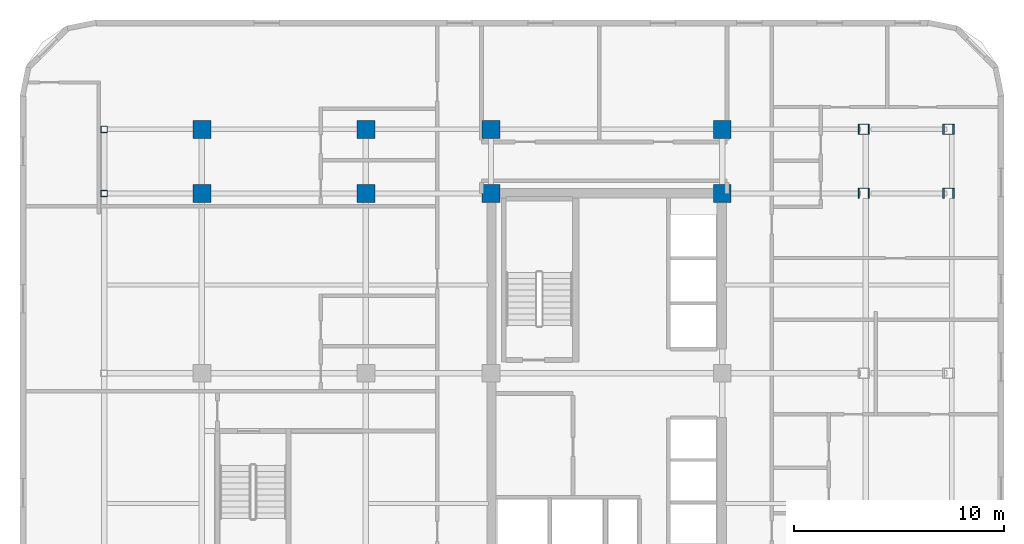
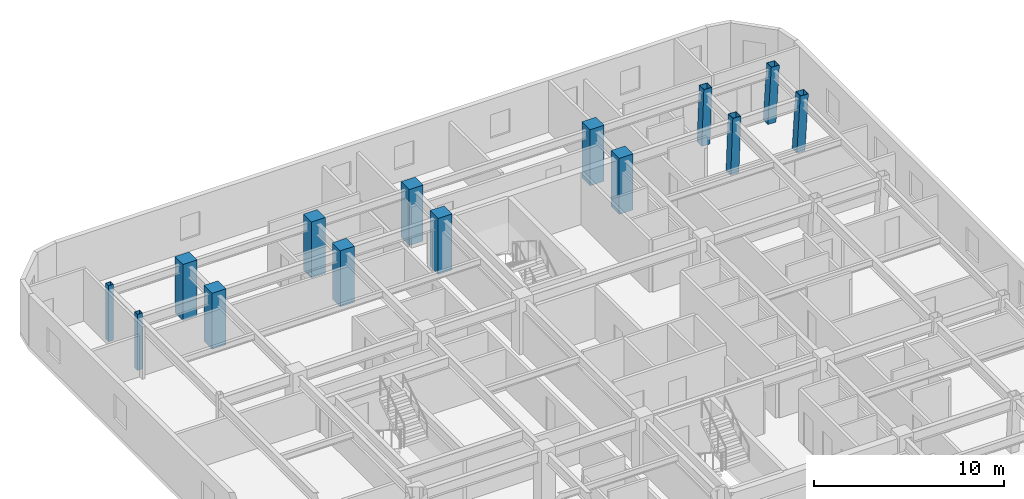
# One storey, part 3 of 13: 14 columns.
"""IFC4 building model written with IfcOpenShell, lengths in metres."""

import ifcopenshell
import ifcopenshell.guid

model = None  # the IFC model being written
_history = None  # IfcOwnerHistory: only IFC2X3 demands one
_inside = {}  # id of a spatial element -> (the spatial element, [elements in it])
_under = {}  # id of a project, library or spatial element -> (it, [spatial elements below it])
_declared = {}  # id of a project -> (the project, [libraries it declares])
_typed = {}  # id of a type object -> (the type object, [elements of that type])
_made_of = {}  # id of a material, layer set ... -> (it, [elements and type objects made of it])


def new_model(schema):
    """Start an empty IFC model of exactly this schema.

    Asked for "IFC4X3", IfcOpenShell would pick the latest addendum, in which some entities
    have other attributes; the version numbers below select the first issue.
    IFC2X3 requires an IfcOwnerHistory on every rooted entity: one is made here for all.
    """
    global model, _history
    if schema == "IFC4X3":
        model = ifcopenshell.file(schema_version=(4, 3, 0, 0))
    else:
        model = ifcopenshell.file(schema=schema)
    _inside.clear()
    _under.clear()
    _declared.clear()
    _typed.clear()
    _made_of.clear()
    _history = None
    if model.schema == "IFC2X3":
        org = make("IfcOrganization", Name="unknown")
        user = make(
            "IfcPersonAndOrganization",
            ThePerson=make("IfcPerson", FamilyName="unknown"),
            TheOrganization=org,
        )
        app = make(
            "IfcApplication",
            ApplicationDeveloper=org,
            Version="unknown",
            ApplicationFullName="unknown",
            ApplicationIdentifier="unknown",
        )
        _history = make(
            "IfcOwnerHistory",
            OwningUser=user,
            OwningApplication=app,
            ChangeAction="ADDED",
            CreationDate=0,
        )
    return model


def make(cls, **values):
    """One entity of the class cls with the attributes given. An attribute that is None is left unset."""
    return model.create_entity(
        cls, **{name: value for name, value in values.items() if value is not None}
    )


def rooted(cls, **values):
    """An entity with a GlobalId (a new one), such as an element, a storey or a relation."""
    return make(cls, GlobalId=ifcopenshell.guid.new(), OwnerHistory=_history, **values)


def si_unit(unit_type, name, prefix=None):
    """IfcSIUnit, for example si_unit("LENGTHUNIT", "METRE", prefix="MILLI")."""
    return make("IfcSIUnit", UnitType=unit_type, Prefix=prefix, Name=name)


def assignment(units):
    """IfcUnitAssignment: the units of a project."""
    return None if units is None else make("IfcUnitAssignment", Units=units)


def point(xyz):
    """IfcCartesianPoint."""
    return None if xyz is None else make("IfcCartesianPoint", Coordinates=xyz)


def direction(xyz):
    """IfcDirection."""
    return None if xyz is None else make("IfcDirection", DirectionRatios=xyz)


def frame(location, z_axis=None, x_axis=None):
    """IfcAxis2Placement3D, a coordinate frame: its origin and axes. An axis left out is left unset."""
    return make(
        "IfcAxis2Placement3D",
        Location=point(location),
        Axis=direction(z_axis),
        RefDirection=direction(x_axis),
    )


def frame_2d(location, x_axis=None):
    """IfcAxis2Placement2D, a coordinate frame in the plane: its origin and x axis."""
    return make(
        "IfcAxis2Placement2D", Location=point(location), RefDirection=direction(x_axis)
    )


def origin():
    """The frame at (0, 0, 0) with its axes left unset."""
    return frame((0.0, 0.0, 0.0))


def origin_2d():
    """The frame at (0, 0) in the plane with its x axis left unset."""
    return frame_2d((0.0, 0.0))


def place(relative_to, where):
    """IfcLocalPlacement: puts the frame where relative to a parent placement (None: the world)."""
    return make(
        "IfcLocalPlacement", PlacementRelTo=relative_to, RelativePlacement=where
    )


def context(
    kind, dimensions, precision=None, world=None, true_north=None, identifier=None
):
    """IfcGeometricRepresentationContext, for example the 3D "Model" context."""
    return make(
        "IfcGeometricRepresentationContext",
        ContextIdentifier=identifier,
        ContextType=kind,
        CoordinateSpaceDimension=dimensions,
        Precision=precision,
        WorldCoordinateSystem=world,
        TrueNorth=true_north,
    )


def subcontext(parent, identifier, kind, view, scale=None):
    """IfcGeometricRepresentationSubContext, for example "Body" below "Model"."""
    return make(
        "IfcGeometricRepresentationSubContext",
        ContextIdentifier=identifier,
        ContextType=kind,
        ParentContext=parent,
        TargetScale=scale,
        TargetView=view,
    )


def project(units=None, contexts=None):
    """IfcProject with its units and contexts."""
    return rooted(
        "IfcProject",
        Name="project",
        RepresentationContexts=contexts,
        UnitsInContext=assignment(units),
    )


def spatial(cls, under=None, at=None, **own):
    """A site, building, storey or space (cls), placed at a placement, below another one or the project."""
    s = rooted(cls, ObjectPlacement=at, **own)
    if under is not None:
        _under.setdefault(under.id(), (under, []))[1].append(s)
    return s


def profile(cls, at=None, kind="AREA", **sizes):
    """A parametric profile (cls). Its sizes go by their IFC names, for example OverallWidth=200.0."""
    return make(cls, ProfileType=kind, Position=at, **sizes)


def rectangle(**sizes):
    """IfcRectangleProfileDef."""
    return profile("IfcRectangleProfileDef", **sizes)


def hollow_rectangle(**sizes):
    """IfcRectangleHollowProfileDef."""
    return profile("IfcRectangleHollowProfileDef", **sizes)


def extrude(swept, where, along, depth):
    """IfcExtrudedAreaSolid: the profile swept, set in the frame where, extruded along a direction by depth."""
    return make(
        "IfcExtrudedAreaSolid",
        SweptArea=swept,
        Position=where,
        ExtrudedDirection=direction(along),
        Depth=depth,
    )


def shape(context_of_items, identifier, shape_type, items):
    """IfcShapeRepresentation: the items that make up one representation, for example the "Body"."""
    return make(
        "IfcShapeRepresentation",
        ContextOfItems=context_of_items,
        RepresentationIdentifier=identifier,
        RepresentationType=shape_type,
        Items=items,
    )


def material(Name=None, Category=None):
    """IfcMaterial."""
    return make("IfcMaterial", Name=Name, Category=Category)


def material_profile(
    of_material, cross_section, Name=None, Category=None, Priority=None
):
    """IfcMaterialProfile: a cross section and its material."""
    return make(
        "IfcMaterialProfile",
        Name=Name,
        Material=of_material,
        Profile=cross_section,
        Priority=Priority,
        Category=Category,
    )


def profile_set(profiles, Name=None, composite=None):
    """IfcMaterialProfileSet."""
    return make(
        "IfcMaterialProfileSet",
        Name=Name,
        MaterialProfiles=profiles,
        CompositeProfile=composite,
    )


def made_of(thing, what):
    """Note that an element or type object is made of a material, layer set ...; save() writes the relation."""
    if what is not None:
        _made_of.setdefault(what.id(), (what, []))[1].append(thing)
    return thing


def type_object(cls, material=None, **own):
    """A type object (cls), such as IfcWallType, which elements share."""
    return made_of(rooted(cls, **own), material)


def element(
    cls,
    number,
    at=None,
    inside=None,
    cuts=None,
    type_object=None,
    material=None,
    context=None,
    identifier="Body",
    shape_type=None,
    held_by="IfcProductDefinitionShape",
    body=None,
    shapes=None,
    **own,
):
    """One element of the class cls, such as IfcWall. Its Tag is "e" and its number.

    at: its placement. inside: the storey or other place that contains it. cuts: it is an
    opening in that element (IfcRelVoidsElement). A single representation is given by context,
    identifier, shape_type and body (its items); several are given by shapes. held_by: the class
    of the entity that holds the representations. save() writes the other relations.
    """
    e = rooted(cls, Tag="e%d" % number, ObjectPlacement=at, **own)
    if body is not None:
        shapes = [shape(context, identifier, shape_type, body)]
    if shapes is not None:
        e.Representation = make(held_by, Representations=shapes)
    if inside is not None:
        _inside.setdefault(inside.id(), (inside, []))[1].append(e)
    if cuts is not None:
        rooted(
            "IfcRelVoidsElement", RelatingBuildingElement=cuts, RelatedOpeningElement=e
        )
    if type_object is not None:
        _typed.setdefault(type_object.id(), (type_object, []))[1].append(e)
    return made_of(e, material)


def aggregate(whole, parts):
    """IfcRelAggregates: a whole, such as a stair, and the parts it consists of."""
    return rooted("IfcRelAggregates", RelatingObject=whole, RelatedObjects=parts)


def save(model, path):
    """Write the relations noted so far, then the file.

    IfcRelAggregates (storeys below a building ...), IfcRelContainedInSpatialStructure (elements
    in a storey), IfcRelDefinesByType, IfcRelAssociatesMaterial and IfcRelDeclares: one each for
    every whole, place, type object, material and project.
    """
    for whole, parts in _under.values():
        aggregate(whole, parts)
    for where, things in _inside.values():
        rooted(
            "IfcRelContainedInSpatialStructure",
            RelatedElements=things,
            RelatingStructure=where,
        )
    for kind, things in _typed.values():
        rooted("IfcRelDefinesByType", RelatedObjects=things, RelatingType=kind)
    for what, things in _made_of.values():
        rooted("IfcRelAssociatesMaterial", RelatedObjects=things, RelatingMaterial=what)
    for by, libraries in _declared.values():
        rooted("IfcRelDeclares", RelatingContext=by, RelatedDefinitions=libraries)
    model.write(path)


model = new_model("IFC4")

# Units and contexts
model_context = context("Model", 3, precision=1e-05, world=origin(), true_north=direction((0.0, 1.0)))
body_context = subcontext(model_context, "Body", "Model", "MODEL_VIEW")
ifc_project = project(units=[si_unit("LENGTHUNIT", "METRE"), si_unit("AREAUNIT", "SQUARE_METRE"), si_unit("VOLUMEUNIT", "CUBIC_METRE"), si_unit("PLANEANGLEUNIT", "RADIAN"), si_unit("MASSUNIT", "GRAM", prefix="KILO")], contexts=[model_context])

# Site, building, storey
site_placement = place(None, origin())
site = spatial("IfcSite", under=ifc_project, at=site_placement, CompositionType="ELEMENT")
building_placement = place(site_placement, origin())
building = spatial("IfcBuilding", under=site, at=building_placement, Name="Ochreholt Gables", CompositionType="ELEMENT")
storey_placement = place(building_placement, frame((0.0, 0.0, 56.39990234375)))
storey = spatial("IfcBuildingStorey", under=building, at=storey_placement, Name="L14", CompositionType="ELEMENT", Elevation=56.39990234375)

# Columns
ifc_material_1 = material(Name="Steel CSA G40.21 350W", Category="steel")
ifc_material_profile_1 = material_profile(ifc_material_1, hollow_rectangle(XDim=0.304931640625, YDim=0.304931640625, WallThickness=0.0126953125, at=origin_2d()), Name="HSS305X305X13")
ifc_profile_set_1 = profile_set([ifc_material_profile_1], Name="Steel CSA G40.21 350W")
column_type_1 = type_object("IfcColumnType", Name="COL-HSS305-EXT", PredefinedType="COLUMN", material=ifc_profile_set_1)
for number, where, z_axis, x_axis, name in (
    (1, (5.800048828125, 38.75, 0.0), (0.0, 0.0, 1.0), (1.0, 0.0, 0.0), "L14 Column WTY5"),
    (2, (5.800048828125, 41.800048828125, 0.0), (0.0, 0.0, 1.0), (1.0, 0.0, 0.0), "L14 Column WTY6"),
):
    element("IfcColumn", number, at=place(storey_placement, frame(where, z_axis=z_axis, x_axis=x_axis)), inside=storey, type_object=column_type_1, Name=name, PredefinedType="COLUMN", context=body_context, shape_type="SweptSolid", body=[
        extrude(hollow_rectangle(XDim=0.304931640625, YDim=0.304931640625, WallThickness=0.0126953125, at=origin_2d()), origin(), (0.0, 0.0, 1.0), 3.60009765625),
    ])
ifc_material_profile_2 = material_profile(ifc_material_1, hollow_rectangle(XDim=0.5, YDim=0.5, WallThickness=0.02197265625, at=origin_2d()), Name="HSS500X500X22")
ifc_profile_set_2 = profile_set([ifc_material_profile_2], Name="Steel CSA G40.21 350W")
column_type_2 = type_object("IfcColumnType", Name="COL-HSS500-RAK", PredefinedType="COLUMN", material=ifc_profile_set_2)
column_1_placement = place(storey_placement, frame((41.909912109375, 38.75, 0.0), z_axis=(0.034971136209, 0.0, 0.999388322742), x_axis=(0.0, 1.0, 0.0)))
element("IfcColumn", 3, at=column_1_placement, inside=storey, type_object=column_type_2, Name="L14 Column EMY5", PredefinedType="COLUMN", context=body_context, shape_type="SweptSolid", body=[
    extrude(hollow_rectangle(XDim=0.5, YDim=0.5, WallThickness=0.02197265625, at=origin_2d()), origin(), (0.0, 0.0, 1.0), 3.602294921875),
])
ifc_material_profile_3 = material_profile(ifc_material_1, hollow_rectangle(XDim=0.5, YDim=0.5, WallThickness=0.02197265625, at=origin_2d()), Name="HSS500X500X22")
ifc_profile_set_3 = profile_set([ifc_material_profile_3], Name="Steel CSA G40.21 350W")
column_type_3 = type_object("IfcColumnType", Name="COL-HSS500-RAKE", PredefinedType="COLUMN", material=ifc_profile_set_3)
column_2_placement = place(storey_placement, frame((41.909912109375, 41.800048828125, 0.0), z_axis=(0.034971136209, 0.0, 0.999388322742), x_axis=(0.0, 1.0, 0.0)))
element("IfcColumn", 4, at=column_2_placement, inside=storey, type_object=column_type_3, Name="L14 Column EMY6", PredefinedType="COLUMN", context=body_context, shape_type="SweptSolid", body=[
    extrude(hollow_rectangle(XDim=0.5, YDim=0.5, WallThickness=0.02197265625, at=origin_2d()), origin(), (0.0, 0.0, 1.0), 3.602294921875),
])
for number, where, z_axis, x_axis, name in (
    (5, (45.927978515625, 38.75, 0.0), (0.057884606321, 0.0, 0.998323280481), (0.0, 1.0, 0.0), "L14 Column EEY5"),
    (6, (45.927978515625, 41.800048828125, 0.0), (0.057884606321, 0.0, 0.998323280481), (0.0, 1.0, 0.0), "L14 Column EEY6"),
):
    element("IfcColumn", number, at=place(storey_placement, frame(where, z_axis=z_axis, x_axis=x_axis)), inside=storey, type_object=column_type_3, Name=name, PredefinedType="COLUMN", context=body_context, shape_type="SweptSolid", body=[
        extrude(hollow_rectangle(XDim=0.5, YDim=0.5, WallThickness=0.02197265625, at=origin_2d()), origin(), (0.0, 0.0, 1.0), 3.606201171875),
    ])
ifc_material_2 = material(Name="Concrete 60 MPa", Category="concrete")
ifc_material_profile_4 = material_profile(ifc_material_2, rectangle(XDim=0.85009765625, YDim=0.85009765625, at=origin_2d()), Name="RC850X850")
ifc_profile_set_4 = profile_set([ifc_material_profile_4], Name="Concrete 60 MPa")
column_type_4 = type_object("IfcColumnType", Name="COL-RC850-EXT", PredefinedType="COLUMN", material=ifc_profile_set_4)
for number, where, z_axis, x_axis, name in (
    (7, (10.449951171875, 41.800048828125, 0.0), (0.0, 0.0, 1.0), (1.0, 0.0, 0.0), "L14 Column W2Y6"),
    (8, (18.25, 41.800048828125, 0.0), (0.0, 0.0, 1.0), (1.0, 0.0, 0.0), "L14 Column W3Y6"),
    (9, (24.199951171875, 41.800048828125, 0.0), (0.0, 0.0, 1.0), (1.0, 0.0, 0.0), "L14 Column C1Y6"),
    (10, (35.199951171875, 41.800048828125, 0.0), (0.0, 0.0, 1.0), (1.0, 0.0, 0.0), "L14 Column C2Y6"),
):
    element("IfcColumn", number, at=place(storey_placement, frame(where, z_axis=z_axis, x_axis=x_axis)), inside=storey, type_object=column_type_4, Name=name, PredefinedType="COLUMN", context=body_context, shape_type="SweptSolid", body=[
        extrude(rectangle(XDim=0.85009765625, YDim=0.85009765625, at=origin_2d()), origin(), (0.0, 0.0, 1.0), 3.60009765625),
    ])
ifc_material_profile_5 = material_profile(ifc_material_2, rectangle(XDim=0.85009765625, YDim=0.85009765625, at=origin_2d()), Name="RC850X850")
ifc_profile_set_5 = profile_set([ifc_material_profile_5], Name="Concrete 60 MPa")
column_type_5 = type_object("IfcColumnType", Name="COL-RC850-INT", PredefinedType="COLUMN", material=ifc_profile_set_5)
for number, where, z_axis, x_axis, name in (
    (11, (10.449951171875, 38.75, 0.0), (0.0, 0.0, 1.0), (1.0, 0.0, 0.0), "L14 Column W2Y5"),
    (12, (18.25, 38.75, 0.0), (0.0, 0.0, 1.0), (1.0, 0.0, 0.0), "L14 Column W3Y5"),
    (13, (24.199951171875, 38.75, 0.0), (0.0, 0.0, 1.0), (1.0, 0.0, 0.0), "L14 Column C1Y5"),
    (14, (35.199951171875, 38.75, 0.0), (0.0, 0.0, 1.0), (1.0, 0.0, 0.0), "L14 Column C2Y5"),
):
    element("IfcColumn", number, at=place(storey_placement, frame(where, z_axis=z_axis, x_axis=x_axis)), inside=storey, type_object=column_type_5, Name=name, PredefinedType="COLUMN", context=body_context, shape_type="SweptSolid", body=[
        extrude(rectangle(XDim=0.85009765625, YDim=0.85009765625, at=origin_2d()), origin(), (0.0, 0.0, 1.0), 3.60009765625),
    ])

save(model, "model.ifc")
